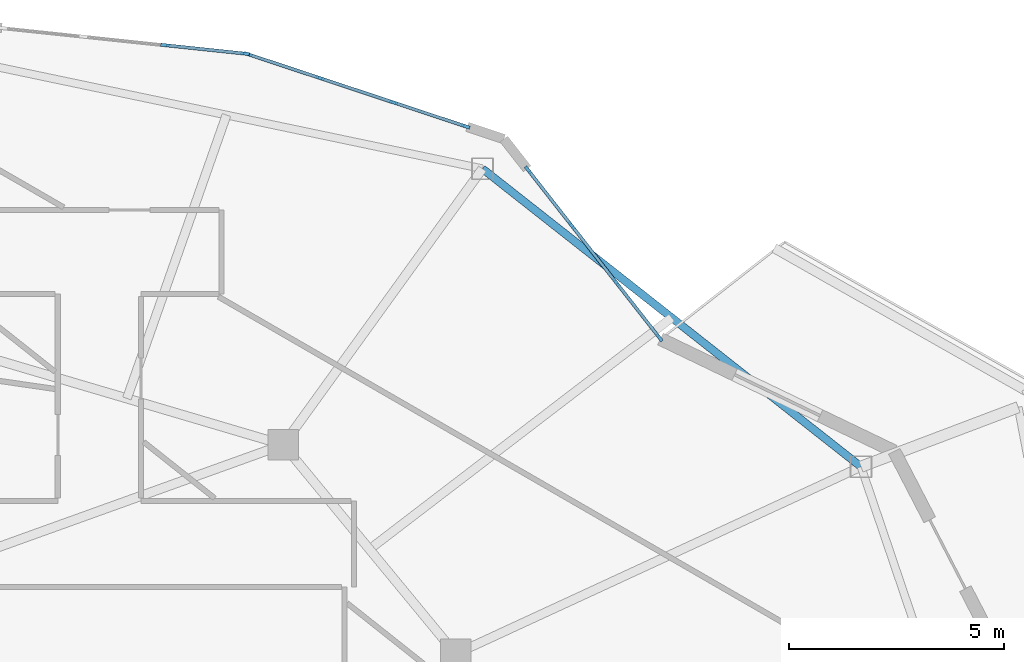
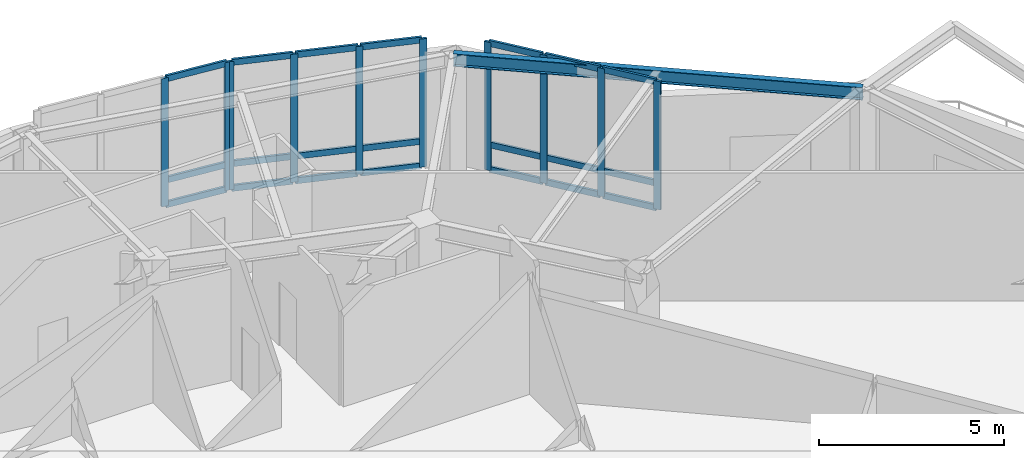
# One storey, part 6 of 15: 31 members, 1 beam, 3 elements without a shape of their own.
"""IFC4 building model written with IfcOpenShell, lengths in metres."""

from ifc_helpers import new_model, si_unit, direction, frame, origin, origin_2d, place, context, subcontext, project, spatial, rectangle, i_section, extrude, material, layer, layer_set, material_profile, profile_set, type_object, element, aggregate, save


model = new_model("IFC4")

# Units and contexts
model_context = context("Model", 3, precision=1e-05, world=origin(), true_north=direction((0.0, 1.0)))
body_context = subcontext(model_context, "Body", "Model", "MODEL_VIEW")
ifc_project = project(units=[si_unit("LENGTHUNIT", "METRE"), si_unit("AREAUNIT", "SQUARE_METRE"), si_unit("VOLUMEUNIT", "CUBIC_METRE"), si_unit("PLANEANGLEUNIT", "RADIAN"), si_unit("MASSUNIT", "GRAM", prefix="KILO")], contexts=[model_context])

# Site, building, storey
site_placement = place(None, origin())
site = spatial("IfcSite", under=ifc_project, at=site_placement, CompositionType="ELEMENT")
building_placement = place(site_placement, origin())
building = spatial("IfcBuilding", under=site, at=building_placement, Name="Kolvaren Gate Tower and Convention Centre", CompositionType="ELEMENT")
storey_placement = place(building_placement, frame((0.0, 0.0, 191.89990234375)))
storey = spatial("IfcBuildingStorey", under=building, at=storey_placement, Name="L50", CompositionType="ELEMENT", Elevation=191.89990234375)

# Curtain wall, members
ifc_material_1 = material(Name="Anodized Architectural Aluminium Alloy 6063-T6", Category="aluminium")
ifc_layer = layer(ifc_material_1, 0.199951171875)
ifc_layer_set = layer_set([ifc_layer], Name="Anodized Architectural Aluminium Alloy 6063-T6")
curtain_wall_type = type_object("IfcCurtainWallType", Name="CW-SKY-GLZ", PredefinedType="NOTDEFINED", material=ifc_layer_set)
curtain_wall_1_placement = place(storey_placement, origin())
curtain_wall_1 = element("IfcCurtainWall", 1, at=curtain_wall_1_placement, inside=storey, type_object=curtain_wall_type, Name="L50 Panoramic Structural Curtain Wall CW-03", PredefinedType="NOTDEFINED")
ifc_material_profile_1 = material_profile(ifc_material_1, rectangle(XDim=0.074951171875, YDim=0.199951171875, at=origin_2d()), Name="CW-MEM-MUL-200")
ifc_profile_set_1 = profile_set([ifc_material_profile_1], Name="Anodized Architectural Aluminium Alloy 6063-T6")
member_type_1 = type_object("IfcMemberType", Name="CW-MEM-MUL-200", PredefinedType="MULLION", material=ifc_profile_set_1)
member_1_placement = place(storey_placement, frame((43.063232421875, 43.427978515625, 0.0), z_axis=(0.0, 0.0, 1.0), x_axis=(0.787404459493, 0.616436709784, 0.0)))
member_1 = element("IfcMember", 2, at=member_1_placement, type_object=member_type_1, Name="CW-05 mullion 1", PredefinedType="MULLION", context=body_context, shape_type="SweptSolid", body=[
    extrude(rectangle(XDim=0.074951171875, YDim=0.199951171875, at=origin_2d()), origin(), (0.0, 0.0, 1.0), 4.22998046875),
])
member_2_placement = place(storey_placement, frame((44.07080078125, 42.140869140625, 0.0), z_axis=(0.0, 0.0, 1.0), x_axis=(0.787404459493, 0.616436709784, 0.0)))
member_2 = element("IfcMember", 3, at=member_2_placement, type_object=member_type_1, Name="CW-05 mullion 2", PredefinedType="MULLION", context=body_context, shape_type="SweptSolid", body=[
    extrude(rectangle(XDim=0.074951171875, YDim=0.199951171875, at=origin_2d()), origin(), (0.0, 0.0, 1.0), 4.22998046875),
])
member_3_placement = place(storey_placement, frame((45.1015625, 40.823974609375, 0.0), z_axis=(0.0, 0.0, 1.0), x_axis=(0.787404459493, 0.616436709784, 0.0)))
member_3 = element("IfcMember", 4, at=member_3_placement, type_object=member_type_1, Name="CW-05 mullion 3", PredefinedType="MULLION", context=body_context, shape_type="SweptSolid", body=[
    extrude(rectangle(XDim=0.074951171875, YDim=0.199951171875, at=origin_2d()), origin(), (0.0, 0.0, 1.0), 4.22998046875),
])
member_4_placement = place(storey_placement, frame((46.109375, 39.536865234375, 0.0), z_axis=(0.0, 0.0, 1.0), x_axis=(0.787404459493, 0.616436709784, 0.0)))
member_4 = element("IfcMember", 5, at=member_4_placement, type_object=member_type_1, Name="CW-05 mullion 4", PredefinedType="MULLION", context=body_context, shape_type="SweptSolid", body=[
    extrude(rectangle(XDim=0.074951171875, YDim=0.199951171875, at=origin_2d()), origin(), (0.0, 0.0, 1.0), 4.22998046875),
])

curtain_wall_2_placement = place(storey_placement, origin())
curtain_wall_2 = element("IfcCurtainWall", 6, at=curtain_wall_2_placement, inside=storey, type_object=curtain_wall_type, Name="L50 Panoramic Structural Curtain Wall CW-04", PredefinedType="NOTDEFINED")
member_5_placement = place(storey_placement, frame((36.56640625, 46.113525390625, 0.0), z_axis=(0.0, 0.0, 1.0), x_axis=(0.314552896763, 0.949239946029, 0.0)))
member_5 = element("IfcMember", 7, at=member_5_placement, type_object=member_type_1, Name="CW-05 mullion 1", PredefinedType="MULLION", context=body_context, shape_type="SweptSolid", body=[
    extrude(rectangle(XDim=0.074951171875, YDim=0.199951171875, at=origin_2d()), origin(), (0.0, 0.0, 1.0), 4.22998046875),
])
member_6_placement = place(storey_placement, frame((38.2373046875, 45.559814453125, 0.0), z_axis=(0.0, 0.0, 1.0), x_axis=(0.314552896763, 0.949239946029, 0.0)))
member_6 = element("IfcMember", 8, at=member_6_placement, type_object=member_type_1, Name="CW-05 mullion 2", PredefinedType="MULLION", context=body_context, shape_type="SweptSolid", body=[
    extrude(rectangle(XDim=0.074951171875, YDim=0.199951171875, at=origin_2d()), origin(), (0.0, 0.0, 1.0), 4.22998046875),
])
member_7_placement = place(storey_placement, frame((39.943603515625, 44.994384765625, 0.0), z_axis=(0.0, 0.0, 1.0), x_axis=(0.314552896763, 0.949239946029, 0.0)))
member_7 = element("IfcMember", 9, at=member_7_placement, type_object=member_type_1, Name="CW-05 mullion 3", PredefinedType="MULLION", context=body_context, shape_type="SweptSolid", body=[
    extrude(rectangle(XDim=0.074951171875, YDim=0.199951171875, at=origin_2d()), origin(), (0.0, 0.0, 1.0), 4.22998046875),
])
member_8_placement = place(storey_placement, frame((41.614501953125, 44.440673828125, 0.0), z_axis=(0.0, 0.0, 1.0), x_axis=(0.314552896763, 0.949239946029, 0.0)))
member_8 = element("IfcMember", 10, at=member_8_placement, type_object=member_type_1, Name="CW-05 mullion 4", PredefinedType="MULLION", context=body_context, shape_type="SweptSolid", body=[
    extrude(rectangle(XDim=0.074951171875, YDim=0.199951171875, at=origin_2d()), origin(), (0.0, 0.0, 1.0), 4.22998046875),
])

curtain_wall_3_placement = place(storey_placement, origin())
curtain_wall_3 = element("IfcCurtainWall", 11, at=curtain_wall_3_placement, inside=storey, type_object=curtain_wall_type, Name="L50 Panoramic Structural Curtain Wall CW-05", PredefinedType="NOTDEFINED")
member_9_placement = place(storey_placement, frame((34.63720703125, 46.32470703125, 0.0), z_axis=(0.0, 0.0, 1.0), x_axis=(0.104740372947, 0.994499599937, 0.0)))
member_9 = element("IfcMember", 12, at=member_9_placement, type_object=member_type_1, Name="CW-05 mullion 3", PredefinedType="MULLION", context=body_context, shape_type="SweptSolid", body=[
    extrude(rectangle(XDim=0.074951171875, YDim=0.199951171875, at=origin_2d()), origin(), (0.0, 0.0, 1.0), 4.22998046875),
])
member_10_placement = place(storey_placement, frame((36.493408203125, 46.129150390625, 0.0), z_axis=(0.0, 0.0, 1.0), x_axis=(0.104740372947, 0.994499599937, 0.0)))
member_10 = element("IfcMember", 13, at=member_10_placement, type_object=member_type_1, Name="CW-05 mullion 4", PredefinedType="MULLION", context=body_context, shape_type="SweptSolid", body=[
    extrude(rectangle(XDim=0.074951171875, YDim=0.199951171875, at=origin_2d()), origin(), (0.0, 0.0, 1.0), 4.22998046875),
])

# Member
ifc_material_profile_2 = material_profile(ifc_material_1, rectangle(XDim=0.074951171875, YDim=0.199951171875, at=origin_2d()), Name="CW-MEM-TRN-200")
ifc_profile_set_2 = profile_set([ifc_material_profile_2], Name="Anodized Architectural Aluminium Alloy 6063-T6")
member_type_2 = type_object("IfcMemberType", Name="CW-MEM-TRN-200", PredefinedType="USERDEFINED", material=ifc_profile_set_2)
member_11_placement = place(storey_placement, frame((43.086181640625, 43.3984375, 0.03759765625), z_axis=(0.616451761075, -0.787392676031, 0.0), x_axis=(0.787392676031, 0.616451761075, 0.0)))
member_11 = element("IfcMember", 14, at=member_11_placement, type_object=member_type_2, Name="CW-05 transom 1.1", ObjectType="TRANSOM", PredefinedType="USERDEFINED", context=body_context, shape_type="SweptSolid", body=[
    extrude(rectangle(XDim=0.074951171875, YDim=0.199951171875, at=origin_2d()), origin(), (0.0, 0.0, 1.0), 1.5595703125),
])

member_12_placement = place(storey_placement, frame((43.086181640625, 43.3984375, 0.85009765625), z_axis=(0.616451761075, -0.787392676031, 0.0), x_axis=(0.787392676031, 0.616451761075, 0.0)))
member_12 = element("IfcMember", 15, at=member_12_placement, type_object=member_type_2, Name="CW-05 transom 1.2", ObjectType="TRANSOM", PredefinedType="USERDEFINED", context=body_context, shape_type="SweptSolid", body=[
    extrude(rectangle(XDim=0.074951171875, YDim=0.199951171875, at=origin_2d()), origin(), (0.0, 0.0, 1.0), 1.5595703125),
])

member_13_placement = place(storey_placement, frame((43.086181640625, 43.3984375, 4.192626953125), z_axis=(0.616451761075, -0.787392676031, 0.0), x_axis=(0.787392676031, 0.616451761075, 0.0)))
member_13 = element("IfcMember", 16, at=member_13_placement, type_object=member_type_2, Name="CW-05 transom 1.3", ObjectType="TRANSOM", PredefinedType="USERDEFINED", context=body_context, shape_type="SweptSolid", body=[
    extrude(rectangle(XDim=0.074951171875, YDim=0.199951171875, at=origin_2d()), origin(), (0.0, 0.0, 1.0), 1.5595703125),
])

member_14_placement = place(storey_placement, frame((44.093994140625, 42.111328125, 0.03759765625), z_axis=(0.616403042975, -0.787430815127, 0.0), x_axis=(0.787430815127, 0.616403042975, 0.0)))
member_14 = element("IfcMember", 17, at=member_14_placement, type_object=member_type_2, Name="CW-05 transom 2.1", ObjectType="TRANSOM", PredefinedType="USERDEFINED", context=body_context, shape_type="SweptSolid", body=[
    extrude(rectangle(XDim=0.074951171875, YDim=0.199951171875, at=origin_2d()), origin(), (0.0, 0.0, 1.0), 1.597412109375),
])

member_15_placement = place(storey_placement, frame((44.093994140625, 42.111328125, 0.85009765625), z_axis=(0.616403042975, -0.787430815127, 0.0), x_axis=(0.787430815127, 0.616403042975, 0.0)))
member_15 = element("IfcMember", 18, at=member_15_placement, type_object=member_type_2, Name="CW-05 transom 2.2", ObjectType="TRANSOM", PredefinedType="USERDEFINED", context=body_context, shape_type="SweptSolid", body=[
    extrude(rectangle(XDim=0.074951171875, YDim=0.199951171875, at=origin_2d()), origin(), (0.0, 0.0, 1.0), 1.597412109375),
])

member_16_placement = place(storey_placement, frame((44.093994140625, 42.111328125, 4.192626953125), z_axis=(0.616403042975, -0.787430815127, 0.0), x_axis=(0.787430815127, 0.616403042975, 0.0)))
member_16 = element("IfcMember", 19, at=member_16_placement, type_object=member_type_2, Name="CW-05 transom 2.3", ObjectType="TRANSOM", PredefinedType="USERDEFINED", context=body_context, shape_type="SweptSolid", body=[
    extrude(rectangle(XDim=0.074951171875, YDim=0.199951171875, at=origin_2d()), origin(), (0.0, 0.0, 1.0), 1.597412109375),
])

member_17_placement = place(storey_placement, frame((45.124755859375, 40.79443359375, 0.03759765625), z_axis=(0.616451761075, -0.787392676031, 0.0), x_axis=(0.787392676031, 0.616451761075, 0.0)))
member_17 = element("IfcMember", 20, at=member_17_placement, type_object=member_type_2, Name="CW-05 transom 3.1", ObjectType="TRANSOM", PredefinedType="USERDEFINED", context=body_context, shape_type="SweptSolid", body=[
    extrude(rectangle(XDim=0.074951171875, YDim=0.199951171875, at=origin_2d()), origin(), (0.0, 0.0, 1.0), 1.5595703125),
])

member_18_placement = place(storey_placement, frame((45.124755859375, 40.79443359375, 0.85009765625), z_axis=(0.616451761075, -0.787392676031, 0.0), x_axis=(0.787392676031, 0.616451761075, 0.0)))
member_18 = element("IfcMember", 21, at=member_18_placement, type_object=member_type_2, Name="CW-05 transom 3.2", ObjectType="TRANSOM", PredefinedType="USERDEFINED", context=body_context, shape_type="SweptSolid", body=[
    extrude(rectangle(XDim=0.074951171875, YDim=0.199951171875, at=origin_2d()), origin(), (0.0, 0.0, 1.0), 1.5595703125),
])

member_19_placement = place(storey_placement, frame((45.124755859375, 40.79443359375, 4.192626953125), z_axis=(0.616451761075, -0.787392676031, 0.0), x_axis=(0.787392676031, 0.616451761075, 0.0)))
member_19 = element("IfcMember", 22, at=member_19_placement, type_object=member_type_2, Name="CW-05 transom 3.3", ObjectType="TRANSOM", PredefinedType="USERDEFINED", context=body_context, shape_type="SweptSolid", body=[
    extrude(rectangle(XDim=0.074951171875, YDim=0.199951171875, at=origin_2d()), origin(), (0.0, 0.0, 1.0), 1.5595703125),
])

aggregate(curtain_wall_1, [member_1, member_2, member_3, member_4, member_11, member_12, member_13, member_14, member_15, member_16, member_17, member_18, member_19])

member_20_placement = place(storey_placement, frame((36.60205078125, 46.101806640625, 0.03759765625), z_axis=(0.949203548231, -0.314662714706, 0.0), x_axis=(0.314662714706, 0.949203548231, 0.0)))
member_20 = element("IfcMember", 23, at=member_20_placement, type_object=member_type_2, Name="CW-05 transom 1.1", ObjectType="TRANSOM", PredefinedType="USERDEFINED", context=body_context, shape_type="SweptSolid", body=[
    extrude(rectangle(XDim=0.074951171875, YDim=0.199951171875, at=origin_2d()), origin(), (0.0, 0.0, 1.0), 1.685302734375),
])

member_21_placement = place(storey_placement, frame((36.60205078125, 46.101806640625, 0.85009765625), z_axis=(0.949203548231, -0.314662714706, 0.0), x_axis=(0.314662714706, 0.949203548231, 0.0)))
member_21 = element("IfcMember", 24, at=member_21_placement, type_object=member_type_2, Name="CW-05 transom 1.2", ObjectType="TRANSOM", PredefinedType="USERDEFINED", context=body_context, shape_type="SweptSolid", body=[
    extrude(rectangle(XDim=0.074951171875, YDim=0.199951171875, at=origin_2d()), origin(), (0.0, 0.0, 1.0), 1.685302734375),
])

member_22_placement = place(storey_placement, frame((36.60205078125, 46.101806640625, 4.192626953125), z_axis=(0.949203548231, -0.314662714706, 0.0), x_axis=(0.314662714706, 0.949203548231, 0.0)))
member_22 = element("IfcMember", 25, at=member_22_placement, type_object=member_type_2, Name="CW-05 transom 1.3", ObjectType="TRANSOM", PredefinedType="USERDEFINED", context=body_context, shape_type="SweptSolid", body=[
    extrude(rectangle(XDim=0.074951171875, YDim=0.199951171875, at=origin_2d()), origin(), (0.0, 0.0, 1.0), 1.685302734375),
])

member_23_placement = place(storey_placement, frame((38.27294921875, 45.548095703125, 0.03759765625), z_axis=(0.94920641695, -0.314654060867, 0.0), x_axis=(0.314654060867, 0.94920641695, 0.0)))
member_23 = element("IfcMember", 26, at=member_23_placement, type_object=member_type_2, Name="CW-05 transom 2.1", ObjectType="TRANSOM", PredefinedType="USERDEFINED", context=body_context, shape_type="SweptSolid", body=[
    extrude(rectangle(XDim=0.074951171875, YDim=0.199951171875, at=origin_2d()), origin(), (0.0, 0.0, 1.0), 1.722412109375),
])

member_24_placement = place(storey_placement, frame((38.27294921875, 45.548095703125, 0.85009765625), z_axis=(0.94920641695, -0.314654060867, 0.0), x_axis=(0.314654060867, 0.94920641695, 0.0)))
member_24 = element("IfcMember", 27, at=member_24_placement, type_object=member_type_2, Name="CW-05 transom 2.2", ObjectType="TRANSOM", PredefinedType="USERDEFINED", context=body_context, shape_type="SweptSolid", body=[
    extrude(rectangle(XDim=0.074951171875, YDim=0.199951171875, at=origin_2d()), origin(), (0.0, 0.0, 1.0), 1.722412109375),
])

member_25_placement = place(storey_placement, frame((38.27294921875, 45.548095703125, 4.192626953125), z_axis=(0.94920641695, -0.314654060867, 0.0), x_axis=(0.314654060867, 0.94920641695, 0.0)))
member_25 = element("IfcMember", 28, at=member_25_placement, type_object=member_type_2, Name="CW-05 transom 2.3", ObjectType="TRANSOM", PredefinedType="USERDEFINED", context=body_context, shape_type="SweptSolid", body=[
    extrude(rectangle(XDim=0.074951171875, YDim=0.199951171875, at=origin_2d()), origin(), (0.0, 0.0, 1.0), 1.722412109375),
])

member_26_placement = place(storey_placement, frame((39.979248046875, 44.982666015625, 0.03759765625), z_axis=(0.949203548231, -0.314662714706, 0.0), x_axis=(0.314662714706, 0.949203548231, 0.0)))
member_26 = element("IfcMember", 29, at=member_26_placement, type_object=member_type_2, Name="CW-05 transom 3.1", ObjectType="TRANSOM", PredefinedType="USERDEFINED", context=body_context, shape_type="SweptSolid", body=[
    extrude(rectangle(XDim=0.074951171875, YDim=0.199951171875, at=origin_2d()), origin(), (0.0, 0.0, 1.0), 1.685302734375),
])

member_27_placement = place(storey_placement, frame((39.979248046875, 44.982666015625, 0.85009765625), z_axis=(0.949203548231, -0.314662714706, 0.0), x_axis=(0.314662714706, 0.949203548231, 0.0)))
member_27 = element("IfcMember", 30, at=member_27_placement, type_object=member_type_2, Name="CW-05 transom 3.2", ObjectType="TRANSOM", PredefinedType="USERDEFINED", context=body_context, shape_type="SweptSolid", body=[
    extrude(rectangle(XDim=0.074951171875, YDim=0.199951171875, at=origin_2d()), origin(), (0.0, 0.0, 1.0), 1.685302734375),
])

member_28_placement = place(storey_placement, frame((39.979248046875, 44.982666015625, 4.192626953125), z_axis=(0.949203548231, -0.314662714706, 0.0), x_axis=(0.314662714706, 0.949203548231, 0.0)))
member_28 = element("IfcMember", 31, at=member_28_placement, type_object=member_type_2, Name="CW-05 transom 3.3", ObjectType="TRANSOM", PredefinedType="USERDEFINED", context=body_context, shape_type="SweptSolid", body=[
    extrude(rectangle(XDim=0.074951171875, YDim=0.199951171875, at=origin_2d()), origin(), (0.0, 0.0, 1.0), 1.685302734375),
])

aggregate(curtain_wall_2, [member_5, member_6, member_7, member_8, member_20, member_21, member_22, member_23, member_24, member_25, member_26, member_27, member_28])

member_29_placement = place(storey_placement, frame((34.674560546875, 46.32080078125, 0.03759765625), z_axis=(0.994494247003, -0.104791186071, 0.0), x_axis=(0.104791186071, 0.994494247003, 0.0)))
member_29 = element("IfcMember", 32, at=member_29_placement, type_object=member_type_2, Name="CW-05 transom 3.1", ObjectType="TRANSOM", PredefinedType="USERDEFINED", context=body_context, shape_type="SweptSolid", body=[
    extrude(rectangle(XDim=0.074951171875, YDim=0.199951171875, at=origin_2d()), origin(), (0.0, 0.0, 1.0), 1.79150390625),
])

member_30_placement = place(storey_placement, frame((34.674560546875, 46.32080078125, 0.85009765625), z_axis=(0.994494247003, -0.104791186071, 0.0), x_axis=(0.104791186071, 0.994494247003, 0.0)))
member_30 = element("IfcMember", 33, at=member_30_placement, type_object=member_type_2, Name="CW-05 transom 3.2", ObjectType="TRANSOM", PredefinedType="USERDEFINED", context=body_context, shape_type="SweptSolid", body=[
    extrude(rectangle(XDim=0.074951171875, YDim=0.199951171875, at=origin_2d()), origin(), (0.0, 0.0, 1.0), 1.79150390625),
])

member_31_placement = place(storey_placement, frame((34.674560546875, 46.32080078125, 4.192626953125), z_axis=(0.994494247003, -0.104791186071, 0.0), x_axis=(0.104791186071, 0.994494247003, 0.0)))
member_31 = element("IfcMember", 34, at=member_31_placement, type_object=member_type_2, Name="CW-05 transom 3.3", ObjectType="TRANSOM", PredefinedType="USERDEFINED", context=body_context, shape_type="SweptSolid", body=[
    extrude(rectangle(XDim=0.074951171875, YDim=0.199951171875, at=origin_2d()), origin(), (0.0, 0.0, 1.0), 1.79150390625),
])

aggregate(curtain_wall_3, [member_9, member_10, member_29, member_30, member_31])

# Beam
ifc_material_2 = material(Name="Structural steel ASTM A992 Grade 345 MPa", Category="steel")
ifc_material_profile_3 = material_profile(ifc_material_2, i_section(OverallWidth=0.180908203125, OverallDepth=0.4169921875, WebThickness=0.010986328125, FlangeThickness=0.018310546875, at=origin_2d()), Name="W410X85")
ifc_profile_set_3 = profile_set([ifc_material_profile_3], Name="Structural steel ASTM A992 Grade 345 MPa")
beam_type = type_object("IfcBeamType", Name="STR-SP-W410X85", PredefinedType="SPANDREL", material=ifc_profile_set_3)
beam_placement = place(storey_placement, frame((50.787353515625, 36.543701171875, 4.021484375), z_axis=(-0.78579365551, 0.618488747643, 0.0), x_axis=(-0.618488747643, -0.78579365551, 0.0)))
element("IfcBeam", 35, at=beam_placement, inside=storey, type_object=beam_type, Name="Tower L50 Perimeter Spandrel Beam SP-02", PredefinedType="SPANDREL", context=body_context, shape_type="SweptSolid", body=[
    extrude(i_section(OverallWidth=0.180908203125, OverallDepth=0.4169921875, WebThickness=0.010986328125, FlangeThickness=0.018310546875, at=origin_2d()), origin(), (0.0, 0.0, 1.0), 11.179443359375),
])

save(model, "model.ifc")
